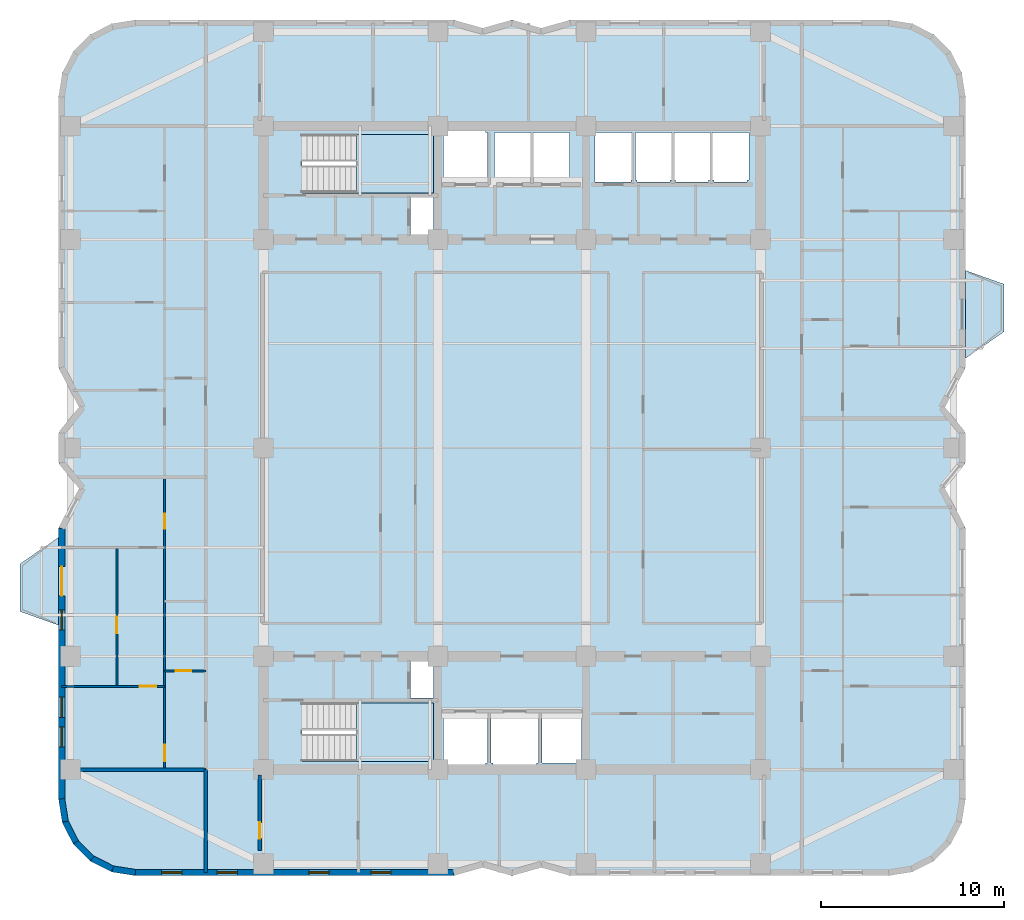
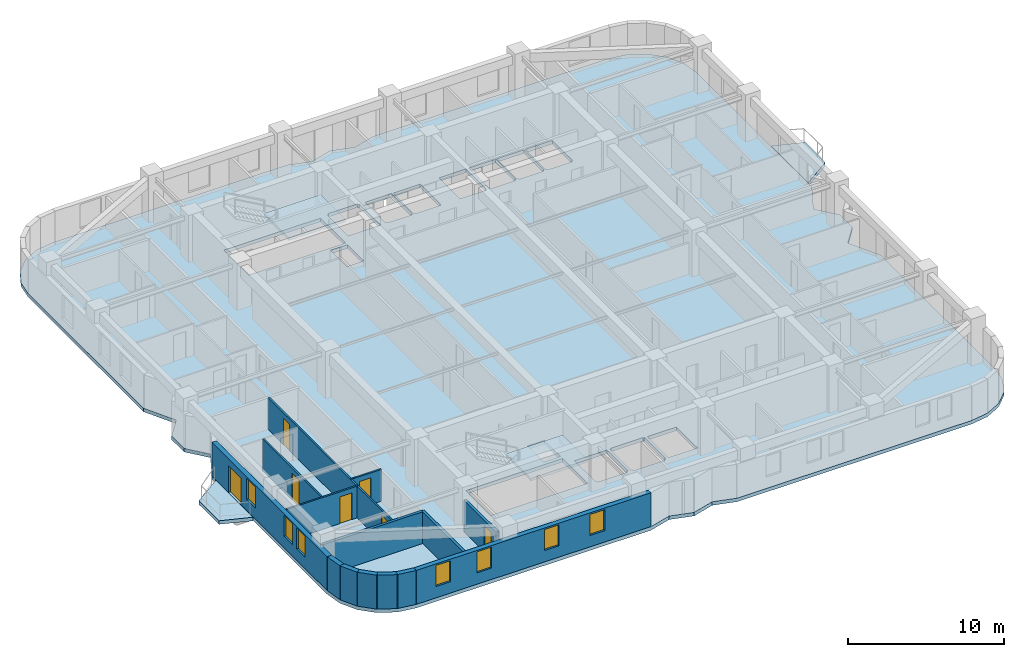
# One storey, part 2 of 10: 14 walls, 7 doors, 7 windows, 5 slabs, 14 openings, 2 elements without a shape of their own.
"""IFC4 building model written with IfcOpenShell, lengths in metres."""

from ifc_helpers import new_model, si_unit, direction, frame, frame_2d, origin, place, context, subcontext, project, spatial, polyline, rectangle, outline, extrude, material, layer, layer_set, type_object, element, fill, aggregate, save


model = new_model("IFC4")

# Units and contexts
model_context = context("Model", 3, precision=1e-05, world=origin(), true_north=direction((0.0, 1.0)))
body_context = subcontext(model_context, "Body", "Model", "MODEL_VIEW")
ifc_project = project(units=[si_unit("LENGTHUNIT", "METRE"), si_unit("AREAUNIT", "SQUARE_METRE"), si_unit("VOLUMEUNIT", "CUBIC_METRE"), si_unit("PLANEANGLEUNIT", "RADIAN"), si_unit("MASSUNIT", "GRAM", prefix="KILO")], contexts=[model_context])

# Site, building, storey
site_placement = place(None, origin())
site = spatial("IfcSite", under=ifc_project, at=site_placement, CompositionType="ELEMENT")
building_placement = place(site_placement, origin())
building = spatial("IfcBuilding", under=site, at=building_placement, Name="Svetorya Sky Lyceum", CompositionType="ELEMENT")
storey_placement = place(building_placement, frame((0.0, 0.0, 132.699951171875)))
storey = spatial("IfcBuildingStorey", under=building, at=storey_placement, Name="L33", CompositionType="ELEMENT", Elevation=132.699951171875)

# Slabs
ifc_material_1 = material(Name="Concrete C40/50", Category="concrete")
ifc_layer_1 = layer(ifc_material_1, 0.280029296875)
ifc_layer_set_1 = layer_set([ifc_layer_1], Name="Concrete C40/50")
slab_type_1 = type_object("IfcSlabType", Name="SL-BAL-280", PredefinedType="FLOOR", material=ifc_layer_set_1)
slab_1_placement = place(storey_placement, frame((0.0, 0.0, -0.280029296875)))
element("IfcSlab", 1, at=slab_1_placement, inside=storey, type_object=slab_type_1, Name="L33 Chamfered Loggia Balcony BAL-W1", PredefinedType="FLOOR", context=body_context, shape_type="SweptSolid", body=[
    extrude(outline(polyline([(14.389892578125, 18.5), (14.389892578125, 23.300048828125), (12.2900390625, 21.85009765625), (12.2900390625, 19.25), (14.389892578125, 18.5)])), origin(), (0.0, 0.0, 1.0), 0.280029296875),
])
slab_2_placement = place(storey_placement, frame((0.0, 0.0, -0.280029296875)))
element("IfcSlab", 2, at=slab_2_placement, inside=storey, type_object=slab_type_1, Name="L33 Chamfered Loggia Balcony BAL-E1", PredefinedType="FLOOR", context=body_context, shape_type="SweptSolid", body=[
    extrude(outline(polyline([(64.010009765625, 33.10009765625), (66.110107421875, 34.550048828125), (66.110107421875, 37.14990234375), (64.010009765625, 37.89990234375), (64.010009765625, 33.10009765625)])), origin(), (0.0, 0.0, 1.0), 0.280029296875),
])

# Stair, slab
stair_type_1 = type_object("IfcStairType", Name="STR-ST-S", PredefinedType="HALF_TURN_STAIR", material=ifc_material_1)
stair_1_placement = place(storey_placement, origin())
stair_1 = element("IfcStair", 3, at=stair_1_placement, inside=storey, type_object=stair_type_1, Name="L33 South Core Smoke-Free Exit Stair N2", PredefinedType="HALF_TURN_STAIR")
ifc_layer_2 = layer(ifc_material_1, 0.199951171875)
ifc_layer_set_2 = layer_set([ifc_layer_2], Name="Concrete C40/50")
slab_type_2 = type_object("IfcSlabType", Name="SL-STR-LAND-200", PredefinedType="LANDING", material=ifc_layer_set_2)
slab_3_placement = place(storey_placement, frame((0.0, 0.0, 1.650146484375)))
slab_3 = element("IfcSlab", 4, at=slab_3_placement, type_object=slab_type_2, Name="ST-S landing 1", PredefinedType="LANDING", context=body_context, shape_type="SweptSolid", body=[
    extrude(outline(polyline([(30.699951171875, 11.050048828125), (34.89990234375, 11.050048828125), (34.89990234375, 14.25), (30.699951171875, 14.25), (30.699951171875, 11.050048828125)])), origin(), (0.0, 0.0, 1.0), 0.199951171875),
])
aggregate(stair_1, [slab_3])

stair_type_2 = type_object("IfcStairType", Name="STR-ST-N", PredefinedType="HALF_TURN_STAIR", material=ifc_material_1)
stair_2_placement = place(storey_placement, origin())
stair_2 = element("IfcStair", 5, at=stair_2_placement, inside=storey, type_object=stair_type_2, Name="L33 North Core Smoke-Free Exit Stair N3", PredefinedType="HALF_TURN_STAIR")
slab_4_placement = place(storey_placement, frame((0.0, 0.0, 1.650146484375)))
slab_4 = element("IfcSlab", 6, at=slab_4_placement, type_object=slab_type_2, Name="ST-N landing 1", PredefinedType="LANDING", context=body_context, shape_type="SweptSolid", body=[
    extrude(outline(polyline([(30.699951171875, 42.14990234375), (34.89990234375, 42.14990234375), (34.89990234375, 45.35009765625), (30.699951171875, 45.35009765625), (30.699951171875, 42.14990234375)])), origin(), (0.0, 0.0, 1.0), 0.199951171875),
])
aggregate(stair_2, [slab_4])

# Slab
ifc_material_2 = material(Name="Concrete C50/60", Category="concrete")
ifc_layer_3 = layer(ifc_material_2, 0.280029296875)
ifc_layer_set_3 = layer_set([ifc_layer_3], Name="Concrete C50/60")
slab_type_3 = type_object("IfcSlabType", Name="SL-TWR-280", PredefinedType="FLOOR", material=ifc_layer_set_3)
slab_5_placement = place(storey_placement, frame((0.0, 0.0, -0.280029296875)))
element("IfcSlab", 7, at=slab_5_placement, inside=storey, type_object=slab_type_3, Name="L33 Structural Floor Slab", PredefinedType="FLOOR", context=body_context, shape_type="SweptSolid", body=[
    extrude(outline(polyline([(14.39990234375, 9.0), (14.605712890625, 7.7021484375), (15.2021484375, 6.53125), (16.13134765625, 5.60205078125), (17.302001953125, 5.005615234375), (18.60009765625, 4.800048828125), (36.0, 4.800048828125), (37.60009765625, 5.25), (39.199951171875, 4.800048828125), (40.800048828125, 5.25), (42.39990234375, 4.800048828125), (59.800048828125, 4.800048828125), (61.097900390625, 5.005615234375), (62.268798828125, 5.60205078125), (63.197998046875, 6.53125), (63.79443359375, 7.7021484375), (64.0, 9.0), (64.0, 23.800048828125), (62.85009765625, 26.0), (64.0, 27.39990234375), (64.0, 29.0), (62.85009765625, 30.39990234375), (64.0, 32.60009765625), (64.0, 47.39990234375), (63.79443359375, 48.697998046875), (63.197998046875, 49.86865234375), (62.268798828125, 50.7978515625), (61.097900390625, 51.394287109375), (59.800048828125, 51.60009765625), (42.39990234375, 51.60009765625), (40.800048828125, 51.14990234375), (39.199951171875, 51.60009765625), (37.60009765625, 51.14990234375), (36.0, 51.60009765625), (18.60009765625, 51.60009765625), (17.302001953125, 51.394287109375), (16.13134765625, 50.7978515625), (15.2021484375, 49.86865234375), (14.605712890625, 48.697998046875), (14.39990234375, 47.39990234375), (14.39990234375, 32.60009765625), (15.550048828125, 30.39990234375), (14.39990234375, 29.0), (14.39990234375, 27.39990234375), (15.550048828125, 26.0), (14.39990234375, 23.800048828125), (14.39990234375, 9.0)]), holes=[polyline([(37.85009765625, 10.949951171875), (37.75, 10.949951171875), (37.75, 10.85009765625), (35.550048828125, 10.85009765625), (35.550048828125, 10.949951171875), (35.449951171875, 10.949951171875), (35.449951171875, 13.64990234375), (35.550048828125, 13.64990234375), (37.75, 13.64990234375), (37.85009765625, 13.64990234375), (37.85009765625, 10.949951171875)]), polyline([(40.64990234375, 13.64990234375), (40.64990234375, 10.949951171875), (40.550048828125, 10.949951171875), (40.550048828125, 10.800048828125), (38.14990234375, 10.800048828125), (38.14990234375, 10.949951171875), (38.050048828125, 10.949951171875), (38.050048828125, 13.64990234375), (38.14990234375, 13.64990234375), (38.14990234375, 13.699951171875), (40.550048828125, 13.699951171875), (40.550048828125, 13.64990234375), (40.64990234375, 13.64990234375)]), polyline([(27.719970703125, 14.25), (34.89990234375, 14.25), (34.89990234375, 11.050048828125), (27.719970703125, 11.050048828125), (27.719970703125, 14.25)]), polyline([(33.64990234375, 14.52001953125), (33.64990234375, 16.580078125), (34.89990234375, 16.580078125), (34.89990234375, 14.52001953125), (33.64990234375, 14.52001953125)]), polyline([(33.64990234375, 41.89990234375), (34.89990234375, 41.89990234375), (34.89990234375, 39.820068359375), (33.64990234375, 39.820068359375), (33.64990234375, 41.89990234375)]), polyline([(27.719970703125, 45.35009765625), (34.89990234375, 45.35009765625), (34.89990234375, 42.14990234375), (27.719970703125, 42.14990234375), (27.719970703125, 45.35009765625)]), polyline([(37.75, 45.550048828125), (37.75, 45.449951171875), (37.85009765625, 45.449951171875), (37.85009765625, 42.75), (37.75, 42.75), (35.550048828125, 42.75), (35.449951171875, 42.75), (35.449951171875, 45.449951171875), (35.550048828125, 45.449951171875), (35.550048828125, 45.550048828125), (37.75, 45.550048828125)]), polyline([(38.39990234375, 42.85009765625), (38.25, 42.85009765625), (38.25, 45.449951171875), (38.39990234375, 45.449951171875), (40.199951171875, 45.449951171875), (40.25, 45.449951171875), (40.25, 42.85009765625), (40.199951171875, 42.85009765625), (40.199951171875, 42.75), (38.39990234375, 42.75), (38.39990234375, 42.85009765625)]), polyline([(40.85009765625, 13.64990234375), (43.0, 13.64990234375), (43.0, 10.949951171875), (40.85009765625, 10.949951171875), (40.85009765625, 13.64990234375)]), polyline([(40.39990234375, 42.85009765625), (40.35009765625, 42.85009765625), (40.35009765625, 45.449951171875), (40.39990234375, 45.449951171875), (42.300048828125, 45.449951171875), (42.35009765625, 45.449951171875), (42.35009765625, 42.85009765625), (42.300048828125, 42.85009765625), (42.300048828125, 42.75), (40.39990234375, 42.75), (40.39990234375, 42.85009765625)]), polyline([(43.75, 42.75), (43.75, 42.85009765625), (43.75, 45.449951171875), (45.699951171875, 45.449951171875), (45.75, 45.449951171875), (45.75, 42.85009765625), (45.699951171875, 42.85009765625), (45.699951171875, 42.75), (43.75, 42.75)]), polyline([(46.050048828125, 42.85009765625), (45.949951171875, 42.85009765625), (45.949951171875, 45.449951171875), (46.050048828125, 45.449951171875), (47.85009765625, 45.449951171875), (47.949951171875, 45.449951171875), (47.949951171875, 42.85009765625), (47.85009765625, 42.85009765625), (47.85009765625, 42.75), (46.050048828125, 42.75), (46.050048828125, 42.85009765625)]), polyline([(48.14990234375, 42.85009765625), (48.050048828125, 42.85009765625), (48.050048828125, 45.449951171875), (48.14990234375, 45.449951171875), (49.949951171875, 45.449951171875), (50.050048828125, 45.449951171875), (50.050048828125, 42.85009765625), (49.949951171875, 42.85009765625), (49.949951171875, 42.75), (48.14990234375, 42.75), (48.14990234375, 42.85009765625)]), polyline([(52.14990234375, 42.85009765625), (52.050048828125, 42.85009765625), (52.050048828125, 42.75), (50.25, 42.75), (50.25, 42.85009765625), (50.14990234375, 42.85009765625), (50.14990234375, 45.449951171875), (50.25, 45.449951171875), (52.050048828125, 45.449951171875), (52.14990234375, 45.449951171875), (52.14990234375, 42.85009765625)])]), origin(), (0.0, 0.0, 1.0), 0.280029296875),
])

# Walls
ifc_material_3 = material(Name="Putilovo limestone rainscreen on autoclaved cellular masonry", Category="masonry")
ifc_layer_4 = layer(ifc_material_3, 0.340087890625)
ifc_layer_set_4 = layer_set([ifc_layer_4], Name="Putilovo limestone rainscreen on autoclaved cellular masonry")
wall_type_1 = type_object("IfcWallType", Name="WL-EXT-340", PredefinedType="SOLIDWALL", material=ifc_layer_set_4)
wall_1_placement = place(storey_placement, frame((14.570068359375, 9.0, 0.0), z_axis=(0.0, 0.0, 1.0), x_axis=(0.156260864002, -0.98771582066, 0.0)))
element("IfcWall", 8, at=wall_1_placement, inside=storey, type_object=wall_type_1, Name="L33 Limestone Exterior Wall 1M", PredefinedType="SOLIDWALL", context=body_context, shape_type="SweptSolid", body=[
    extrude(rectangle(XDim=1.2607421875, YDim=0.340087890625, at=frame_2d((0.63037109375, 0.0))), origin(), (0.0, 0.0, 1.0), 2.66015625),
])
wall_2_placement = place(storey_placement, frame((14.76708984375, 7.754638671875, 0.0), z_axis=(0.0, 0.0, 1.0), x_axis=(0.454015689056, -0.890993689142, 0.0)))
element("IfcWall", 9, at=wall_2_placement, inside=storey, type_object=wall_type_1, Name="L33 Limestone Exterior Wall 2M", PredefinedType="SOLIDWALL", context=body_context, shape_type="SweptSolid", body=[
    extrude(rectangle(XDim=1.260986328125, YDim=0.340087890625, at=frame_2d((0.63037109375, 0.0))), origin(), (0.0, 0.0, 1.0), 2.66015625),
])
wall_3_placement = place(storey_placement, frame((15.339599609375, 6.631103515625, 0.0), z_axis=(0.0, 0.0, 1.0), x_axis=(0.707203598708, -0.707009950407, 0.0)))
element("IfcWall", 10, at=wall_3_placement, inside=storey, type_object=wall_type_1, Name="L33 Limestone Exterior Wall 3M", PredefinedType="SOLIDWALL", context=body_context, shape_type="SweptSolid", body=[
    extrude(rectangle(XDim=1.2607421875, YDim=0.340087890625, at=frame_2d((0.63037109375, 0.0))), origin(), (0.0, 0.0, 1.0), 2.66015625),
])
for number, where, z_axis, x_axis, name in (
    (11, (16.231201171875, 5.73974609375, 0.0), (0.0, 0.0, 1.0), (0.890993689142, -0.454015689056, 0.0), "L33 Limestone Exterior Wall 4M"),
    (12, (17.354736328125, 5.167236328125, 0.0), (0.0, 0.0, 1.0), (0.987685918112, -0.15644975923, 0.0), "L33 Limestone Exterior Wall 5M"),
):
    element("IfcWall", number, at=place(storey_placement, frame(where, z_axis=z_axis, x_axis=x_axis)), inside=storey, type_object=wall_type_1, Name=name, PredefinedType="SOLIDWALL", context=body_context, shape_type="SweptSolid", body=[
        extrude(rectangle(XDim=1.260986328125, YDim=0.340087890625, at=frame_2d((0.63037109375, 0.0))), origin(), (0.0, 0.0, 1.0), 2.66015625),
    ])

# Wall, openings, windows
wall_4_placement = place(storey_placement, frame((18.60009765625, 4.969970703125, 0.0), z_axis=(0.0, 0.0, 1.0), x_axis=(1.0, 0.0, 0.0)))
wall_4 = element("IfcWall", 13, at=wall_4_placement, inside=storey, type_object=wall_type_1, Name="L33 Limestone Exterior Wall 6M", PredefinedType="SOLIDWALL", context=body_context, shape_type="SweptSolid", body=[
    extrude(rectangle(XDim=17.39990234375, YDim=0.340087890625, at=frame_2d((8.699951171875, 0.0))), origin(), (0.0, 0.0, 1.0), 2.66015625),
])
opening_1_placement = place(wall_4_placement, frame((1.441650390625, 0.0, 0.889892578125)))
opening_1 = element("IfcOpeningElement", 14, at=opening_1_placement, cuts=wall_4, Name="Opening W-R3", PredefinedType="OPENING", context=body_context, shape_type="SweptSolid", body=[
    extrude(rectangle(XDim=1.10009765625, YDim=1.64990234375, at=frame_2d((0.550048828125, 0.824951171875))), frame((0.0, 0.179931640625, 0.0), z_axis=(0.0, -1.0, 0.0), x_axis=(1.0, 0.0, 0.0)), (0.0, 0.0, 1.0), 0.360107421875),
])
opening_2_placement = place(wall_4_placement, frame((4.47509765625, 0.0, 0.889892578125)))
opening_2 = element("IfcOpeningElement", 15, at=opening_2_placement, cuts=wall_4, Name="Opening W-R3", PredefinedType="OPENING", context=body_context, shape_type="SweptSolid", body=[
    extrude(rectangle(XDim=1.10009765625, YDim=1.64990234375, at=frame_2d((0.550048828125, 0.824951171875))), frame((0.0, 0.179931640625, 0.0), z_axis=(0.0, -1.0, 0.0), x_axis=(1.0, 0.0, 0.0)), (0.0, 0.0, 1.0), 0.360107421875),
])
opening_3_placement = place(wall_4_placement, frame((9.49169921875, 0.0, 0.889892578125)))
opening_3 = element("IfcOpeningElement", 16, at=opening_3_placement, cuts=wall_4, Name="Opening W-R3", PredefinedType="OPENING", context=body_context, shape_type="SweptSolid", body=[
    extrude(rectangle(XDim=1.10009765625, YDim=1.64990234375, at=frame_2d((0.550048828125, 0.824951171875))), frame((0.0, 0.179931640625, 0.0), z_axis=(0.0, -1.0, 0.0), x_axis=(1.0, 0.0, 0.0)), (0.0, 0.0, 1.0), 0.360107421875),
])
opening_4_placement = place(wall_4_placement, frame((12.875, 0.0, 0.889892578125)))
opening_4 = element("IfcOpeningElement", 17, at=opening_4_placement, cuts=wall_4, Name="Opening W-R3", PredefinedType="OPENING", context=body_context, shape_type="SweptSolid", body=[
    extrude(rectangle(XDim=1.10009765625, YDim=1.64990234375, at=frame_2d((0.550048828125, 0.824951171875))), frame((0.0, 0.179931640625, 0.0), z_axis=(0.0, -1.0, 0.0), x_axis=(1.0, 0.0, 0.0)), (0.0, 0.0, 1.0), 0.360107421875),
])
ifc_material_4 = material(Name="Thermally broken aluminium frame with triple low-E glazing", Category="aluminium")
window_type = type_object("IfcWindowType", Name="WN-RES-110", PartitioningType="SINGLE_PANEL", PredefinedType="WINDOW", material=ifc_material_4)
window_1_placement = place(opening_1_placement, origin())
window_1 = element("IfcWindow", 18, at=window_1_placement, inside=storey, type_object=window_type, Name="L33 Facade Window W-R3.6M.1", OverallHeight=1.64990234375, OverallWidth=1.10009765625, PartitioningType="SINGLE_PANEL", PredefinedType="WINDOW", context=body_context, shape_type="SweptSolid", body=[
    extrude(rectangle(XDim=1.10009765625, YDim=1.64990234375, at=frame_2d((0.550048828125, 0.824951171875))), frame((0.0, 0.030029296875, 0.0), z_axis=(0.0, -1.0, 0.0), x_axis=(1.0, 0.0, 0.0)), (0.0, 0.0, 1.0), 0.06005859375),
])
fill(opening_1, window_1)
window_2_placement = place(opening_2_placement, origin())
window_2 = element("IfcWindow", 19, at=window_2_placement, inside=storey, type_object=window_type, Name="L33 Facade Window W-R3.6M.2", OverallHeight=1.64990234375, OverallWidth=1.10009765625, PartitioningType="SINGLE_PANEL", PredefinedType="WINDOW", context=body_context, shape_type="SweptSolid", body=[
    extrude(rectangle(XDim=1.10009765625, YDim=1.64990234375, at=frame_2d((0.550048828125, 0.824951171875))), frame((0.0, 0.030029296875, 0.0), z_axis=(0.0, -1.0, 0.0), x_axis=(1.0, 0.0, 0.0)), (0.0, 0.0, 1.0), 0.06005859375),
])
fill(opening_2, window_2)
window_3_placement = place(opening_3_placement, origin())
window_3 = element("IfcWindow", 20, at=window_3_placement, inside=storey, type_object=window_type, Name="L33 Facade Window W-R3.6M.3", OverallHeight=1.64990234375, OverallWidth=1.10009765625, PartitioningType="SINGLE_PANEL", PredefinedType="WINDOW", context=body_context, shape_type="SweptSolid", body=[
    extrude(rectangle(XDim=1.10009765625, YDim=1.64990234375, at=frame_2d((0.550048828125, 0.824951171875))), frame((0.0, 0.030029296875, 0.0), z_axis=(0.0, -1.0, 0.0), x_axis=(1.0, 0.0, 0.0)), (0.0, 0.0, 1.0), 0.06005859375),
])
fill(opening_3, window_3)
window_4_placement = place(opening_4_placement, origin())
window_4 = element("IfcWindow", 21, at=window_4_placement, inside=storey, type_object=window_type, Name="L33 Facade Window W-R3.6M.4", OverallHeight=1.64990234375, OverallWidth=1.10009765625, PartitioningType="SINGLE_PANEL", PredefinedType="WINDOW", context=body_context, shape_type="SweptSolid", body=[
    extrude(rectangle(XDim=1.10009765625, YDim=1.64990234375, at=frame_2d((0.550048828125, 0.824951171875))), frame((0.0, 0.030029296875, 0.0), z_axis=(0.0, -1.0, 0.0), x_axis=(1.0, 0.0, 0.0)), (0.0, 0.0, 1.0), 0.06005859375),
])
fill(opening_4, window_4)

# Wall, openings, door, windows
wall_5_placement = place(storey_placement, frame((14.570068359375, 23.800048828125, 0.0), z_axis=(0.0, 0.0, 1.0), x_axis=(0.0, -1.0, 0.0)))
wall_5 = element("IfcWall", 22, at=wall_5_placement, inside=storey, type_object=wall_type_1, Name="L33 Limestone Exterior Wall 46M", PredefinedType="SOLIDWALL", context=body_context, shape_type="SweptSolid", body=[
    extrude(rectangle(XDim=14.800048828125, YDim=0.340087890625, at=frame_2d((7.39990234375, 0.0))), origin(), (0.0, 0.0, 1.0), 2.66015625),
])
opening_5_placement = place(wall_5_placement, frame((2.10009765625, 0.0, 0.0)))
opening_5 = element("IfcOpeningElement", 23, at=opening_5_placement, cuts=wall_5, Name="Opening D-BL1", PredefinedType="OPENING", context=body_context, shape_type="SweptSolid", body=[
    extrude(rectangle(XDim=1.60009765625, YDim=2.10009765625, at=frame_2d((0.800048828125, 1.050048828125))), frame((0.0, 0.179931640625, 0.0), z_axis=(0.0, -1.0, 0.0), x_axis=(1.0, 0.0, 0.0)), (0.0, 0.0, 1.0), 0.360107421875),
])
opening_6_placement = place(wall_5_placement, frame((4.46240234375, 0.0, 0.889892578125)))
opening_6 = element("IfcOpeningElement", 24, at=opening_6_placement, cuts=wall_5, Name="Opening W-R3", PredefinedType="OPENING", context=body_context, shape_type="SweptSolid", body=[
    extrude(rectangle(XDim=1.10009765625, YDim=1.64990234375, at=frame_2d((0.550048828125, 0.824951171875))), frame((0.0, 0.179931640625, 0.0), z_axis=(0.0, -1.0, 0.0), x_axis=(1.0, 0.0, 0.0)), (0.0, 0.0, 1.0), 0.360107421875),
])
opening_7_placement = place(wall_5_placement, frame((9.237548828125, 0.0, 0.889892578125)))
opening_7 = element("IfcOpeningElement", 25, at=opening_7_placement, cuts=wall_5, Name="Opening W-R3", PredefinedType="OPENING", context=body_context, shape_type="SweptSolid", body=[
    extrude(rectangle(XDim=1.10009765625, YDim=1.64990234375, at=frame_2d((0.550048828125, 0.824951171875))), frame((0.0, 0.179931640625, 0.0), z_axis=(0.0, -1.0, 0.0), x_axis=(1.0, 0.0, 0.0)), (0.0, 0.0, 1.0), 0.360107421875),
])
opening_8_placement = place(wall_5_placement, frame((10.862548828125, 0.0, 0.889892578125)))
opening_8 = element("IfcOpeningElement", 26, at=opening_8_placement, cuts=wall_5, Name="Opening W-R3", PredefinedType="OPENING", context=body_context, shape_type="SweptSolid", body=[
    extrude(rectangle(XDim=1.10009765625, YDim=1.64990234375, at=frame_2d((0.550048828125, 0.824951171875))), frame((0.0, 0.179931640625, 0.0), z_axis=(0.0, -1.0, 0.0), x_axis=(1.0, 0.0, 0.0)), (0.0, 0.0, 1.0), 0.360107421875),
])
ifc_material_5 = material(Name="Insulated glazed aluminium balcony door", Category="aluminium")
door_type_1 = type_object("IfcDoorType", Name="DR-BAL-1600", OperationType="DOUBLE_DOOR_SINGLE_SWING", PredefinedType="DOOR", material=ifc_material_5)
door_1_placement = place(opening_5_placement, origin())
door_1 = element("IfcDoor", 27, at=door_1_placement, inside=storey, type_object=door_type_1, Name="L33 Balcony BAL-W1 Door", OperationType="DOUBLE_DOOR_SINGLE_SWING", OverallHeight=2.10009765625, OverallWidth=1.60009765625, PredefinedType="DOOR", context=body_context, shape_type="SweptSolid", body=[
    extrude(rectangle(XDim=1.60009765625, YDim=2.10009765625, at=frame_2d((0.800048828125, 1.050048828125))), frame((0.0, 0.02490234375, 0.0), z_axis=(0.0, -1.0, 0.0), x_axis=(1.0, 0.0, 0.0)), (0.0, 0.0, 1.0), 0.050048828125),
])
fill(opening_5, door_1)
window_5_placement = place(opening_6_placement, origin())
window_5 = element("IfcWindow", 28, at=window_5_placement, inside=storey, type_object=window_type, Name="L33 Facade Window W-R3.46M.1", OverallHeight=1.64990234375, OverallWidth=1.10009765625, PartitioningType="SINGLE_PANEL", PredefinedType="WINDOW", context=body_context, shape_type="SweptSolid", body=[
    extrude(rectangle(XDim=1.10009765625, YDim=1.64990234375, at=frame_2d((0.550048828125, 0.824951171875))), frame((0.0, 0.030029296875, 0.0), z_axis=(0.0, -1.0, 0.0), x_axis=(1.0, 0.0, 0.0)), (0.0, 0.0, 1.0), 0.06005859375),
])
fill(opening_6, window_5)
window_6_placement = place(opening_7_placement, origin())
window_6 = element("IfcWindow", 29, at=window_6_placement, inside=storey, type_object=window_type, Name="L33 Facade Window W-R3.46M.2", OverallHeight=1.64990234375, OverallWidth=1.10009765625, PartitioningType="SINGLE_PANEL", PredefinedType="WINDOW", context=body_context, shape_type="SweptSolid", body=[
    extrude(rectangle(XDim=1.10009765625, YDim=1.64990234375, at=frame_2d((0.550048828125, 0.824951171875))), frame((0.0, 0.030029296875, 0.0), z_axis=(0.0, -1.0, 0.0), x_axis=(1.0, 0.0, 0.0)), (0.0, 0.0, 1.0), 0.06005859375),
])
fill(opening_7, window_6)
window_7_placement = place(opening_8_placement, origin())
window_7 = element("IfcWindow", 30, at=window_7_placement, inside=storey, type_object=window_type, Name="L33 Facade Window W-R3.46M.3", OverallHeight=1.64990234375, OverallWidth=1.10009765625, PartitioningType="SINGLE_PANEL", PredefinedType="WINDOW", context=body_context, shape_type="SweptSolid", body=[
    extrude(rectangle(XDim=1.10009765625, YDim=1.64990234375, at=frame_2d((0.550048828125, 0.824951171875))), frame((0.0, 0.030029296875, 0.0), z_axis=(0.0, -1.0, 0.0), x_axis=(1.0, 0.0, 0.0)), (0.0, 0.0, 1.0), 0.06005859375),
])
fill(opening_8, window_7)

# Wall, opening, door
ifc_material_6 = material(Name="Twin-stud galvanized framing with double fireboard", Category="gypsum")
ifc_layer_5 = layer(ifc_material_6, 0.1201171875)
ifc_layer_set_5 = layer_set([ifc_layer_5], Name="Twin-stud galvanized framing with double fireboard")
wall_type_2 = type_object("IfcWallType", Name="WL-PART-120", PredefinedType="PARTITIONING", material=ifc_layer_set_5)
wall_6_placement = place(storey_placement, frame((20.199951171875, 16.0, 0.0), z_axis=(0.0, 0.0, 1.0), x_axis=(1.0, 0.0, 0.0)))
wall_6 = element("IfcWall", 31, at=wall_6_placement, inside=storey, type_object=wall_type_2, Name="L33 Interior Partition W1-WH1", PredefinedType="PARTITIONING", context=body_context, shape_type="SweptSolid", body=[
    extrude(rectangle(XDim=2.25, YDim=0.1201171875, at=frame_2d((1.125, 0.0))), origin(), (0.0, 0.0, 1.0), 2.489990234375),
])
opening_9_placement = place(wall_6_placement, frame((0.60009765625, 0.0, 0.0)))
opening_9 = element("IfcOpeningElement", 32, at=opening_9_placement, cuts=wall_6, Name="Opening D-BT1", PredefinedType="OPENING", context=body_context, shape_type="SweptSolid", body=[
    extrude(rectangle(XDim=0.85009765625, YDim=2.10009765625, at=frame_2d((0.425048828125, 1.050048828125))), frame((0.0, 0.070068359375, 0.0), z_axis=(0.0, -1.0, 0.0), x_axis=(1.0, 0.0, 0.0)), (0.0, 0.0, 1.0), 0.14013671875),
])
ifc_material_7 = material(Name="Moisture-resistant laminate bathroom door")
door_type_2 = type_object("IfcDoorType", Name="DR-WET-850", OperationType="SINGLE_SWING_LEFT", PredefinedType="DOOR", material=ifc_material_7)
door_2_placement = place(opening_9_placement, origin())
door_2 = element("IfcDoor", 33, at=door_2_placement, inside=storey, type_object=door_type_2, Name="Apartment W1 Bathroom Door", OperationType="SINGLE_SWING_LEFT", OverallHeight=2.10009765625, OverallWidth=0.85009765625, PredefinedType="DOOR", context=body_context, shape_type="SweptSolid", body=[
    extrude(rectangle(XDim=0.85009765625, YDim=2.10009765625, at=frame_2d((0.425048828125, 1.050048828125))), frame((0.0, 0.02490234375, 0.0), z_axis=(0.0, -1.0, 0.0), x_axis=(1.0, 0.0, 0.0)), (0.0, 0.0, 1.0), 0.050048828125),
])
fill(opening_9, door_2)

wall_7_placement = place(storey_placement, frame((17.589111328125, 15.18994140625, 0.0), z_axis=(0.0, 0.0, 1.0), x_axis=(0.0, 1.0, 0.0)))
wall_7 = element("IfcWall", 34, at=wall_7_placement, inside=storey, type_object=wall_type_2, Name="L33 Interior Partition W1-BVD1", PredefinedType="PARTITIONING", context=body_context, shape_type="SweptSolid", body=[
    extrude(rectangle(XDim=7.52001953125, YDim=0.1201171875, at=frame_2d((3.760009765625, 0.0))), origin(), (0.0, 0.0, 1.0), 2.489990234375),
])
opening_10_placement = place(wall_7_placement, frame((2.860107421875, 0.0, 0.0)))
opening_10 = element("IfcOpeningElement", 35, at=opening_10_placement, cuts=wall_7, Name="Opening D-RM1", PredefinedType="OPENING", context=body_context, shape_type="SweptSolid", body=[
    extrude(rectangle(XDim=0.89990234375, YDim=2.10009765625, at=frame_2d((0.449951171875, 1.050048828125))), frame((0.0, 0.070068359375, 0.0), z_axis=(0.0, -1.0, 0.0), x_axis=(1.0, 0.0, 0.0)), (0.0, 0.0, 1.0), 0.14013671875),
])
ifc_material_8 = material(Name="Lacquered birch veneer internal door")
door_type_3 = type_object("IfcDoorType", Name="DR-INT-900", OperationType="SINGLE_SWING_LEFT", PredefinedType="DOOR", material=ifc_material_8)
door_3_placement = place(opening_10_placement, origin())
door_3 = element("IfcDoor", 36, at=door_3_placement, inside=storey, type_object=door_type_3, Name="Apartment W1 Suite Bedroom Door", OperationType="SINGLE_SWING_LEFT", OverallHeight=2.10009765625, OverallWidth=0.89990234375, PredefinedType="DOOR", context=body_context, shape_type="SweptSolid", body=[
    extrude(rectangle(XDim=0.89990234375, YDim=2.10009765625, at=frame_2d((0.449951171875, 1.050048828125))), frame((0.0, 0.02490234375, 0.0), z_axis=(0.0, -1.0, 0.0), x_axis=(1.0, 0.0, 0.0)), (0.0, 0.0, 1.0), 0.050048828125),
])
fill(opening_10, door_3)

wall_8_placement = place(storey_placement, frame((14.570068359375, 15.14990234375, 0.0), z_axis=(0.0, 0.0, 1.0), x_axis=(1.0, 0.0, 0.0)))
wall_8 = element("IfcWall", 37, at=wall_8_placement, inside=storey, type_object=wall_type_2, Name="L33 Interior Partition W1-WL1", PredefinedType="PARTITIONING", context=body_context, shape_type="SweptSolid", body=[
    extrude(rectangle(XDim=5.6298828125, YDim=0.1201171875, at=frame_2d((2.81494140625, 0.0))), origin(), (0.0, 0.0, 1.0), 2.489990234375),
])
opening_11_placement = place(wall_8_placement, frame((4.280029296875, 0.0, 0.0)))
opening_11 = element("IfcOpeningElement", 38, at=opening_11_placement, cuts=wall_8, Name="Opening D-RM1", PredefinedType="OPENING", context=body_context, shape_type="SweptSolid", body=[
    extrude(rectangle(XDim=0.89990234375, YDim=2.10009765625, at=frame_2d((0.449951171875, 1.050048828125))), frame((0.0, 0.070068359375, 0.0), z_axis=(0.0, -1.0, 0.0), x_axis=(1.0, 0.0, 0.0)), (0.0, 0.0, 1.0), 0.14013671875),
])
door_4_placement = place(opening_11_placement, origin())
door_4 = element("IfcDoor", 39, at=door_4_placement, inside=storey, type_object=door_type_3, Name="Apartment W1 Master Bedroom Door", OperationType="SINGLE_SWING_LEFT", OverallHeight=2.10009765625, OverallWidth=0.89990234375, PredefinedType="DOOR", context=body_context, shape_type="SweptSolid", body=[
    extrude(rectangle(XDim=0.89990234375, YDim=2.10009765625, at=frame_2d((0.449951171875, 1.050048828125))), frame((0.0, 0.02490234375, 0.0), z_axis=(0.0, -1.0, 0.0), x_axis=(1.0, 0.0, 0.0)), (0.0, 0.0, 1.0), 0.050048828125),
])
fill(opening_11, door_4)

# Wall, openings, doors
wall_9_placement = place(storey_placement, frame((20.199951171875, 10.639892578125, 0.0), z_axis=(0.0, 0.0, 1.0), x_axis=(0.0, 1.0, 0.0)))
wall_9 = element("IfcWall", 40, at=wall_9_placement, inside=storey, type_object=wall_type_2, Name="L33 Interior Partition W1-WV", PredefinedType="PARTITIONING", context=body_context, shape_type="SweptSolid", body=[
    extrude(rectangle(XDim=15.920166015625, YDim=0.1201171875, at=frame_2d((7.9599609375, 0.0))), origin(), (0.0, 0.0, 1.0), 2.489990234375),
])
opening_12_placement = place(wall_9_placement, frame((0.409912109375, 0.0, 0.0)))
opening_12 = element("IfcOpeningElement", 41, at=opening_12_placement, cuts=wall_9, Name="Opening D-RM1", PredefinedType="OPENING", context=body_context, shape_type="SweptSolid", body=[
    extrude(rectangle(XDim=0.89990234375, YDim=2.10009765625, at=frame_2d((0.449951171875, 1.050048828125))), frame((0.0, 0.070068359375, 0.0), z_axis=(0.0, -1.0, 0.0), x_axis=(1.0, 0.0, 0.0)), (0.0, 0.0, 1.0), 0.14013671875),
])
opening_13_placement = place(wall_9_placement, frame((13.125, 0.0, 0.0)))
opening_13 = element("IfcOpeningElement", 42, at=opening_13_placement, cuts=wall_9, Name="Opening D-BT2", PredefinedType="OPENING", context=body_context, shape_type="SweptSolid", body=[
    extrude(rectangle(XDim=0.820068359375, YDim=2.080078125, at=frame_2d((0.41015625, 1.0400390625))), frame((0.0, 0.070068359375, 0.0), z_axis=(0.0, -1.0, 0.0), x_axis=(1.0, 0.0, 0.0)), (0.0, 0.0, 1.0), 0.14013671875),
])
door_5_placement = place(opening_12_placement, origin())
door_5 = element("IfcDoor", 43, at=door_5_placement, inside=storey, type_object=door_type_3, Name="Apartment W1 Living Door", OperationType="SINGLE_SWING_RIGHT", OverallHeight=2.10009765625, OverallWidth=0.89990234375, PredefinedType="DOOR", context=body_context, shape_type="SweptSolid", body=[
    extrude(rectangle(XDim=0.89990234375, YDim=2.10009765625, at=frame_2d((0.449951171875, 1.050048828125))), frame((0.0, 0.02490234375, 0.0), z_axis=(0.0, -1.0, 0.0), x_axis=(1.0, 0.0, 0.0)), (0.0, 0.0, 1.0), 0.050048828125),
])
fill(opening_12, door_5)
ifc_material_9 = material(Name="Compact moisture-resistant laminate closet door")
door_type_4 = type_object("IfcDoorType", Name="DR-WET-820", OperationType="SINGLE_SWING_LEFT", PredefinedType="DOOR", material=ifc_material_9)
door_6_placement = place(opening_13_placement, origin())
door_6 = element("IfcDoor", 44, at=door_6_placement, inside=storey, type_object=door_type_4, Name="Apartment W1 Study Door", OperationType="SINGLE_SWING_LEFT", OverallHeight=2.080078125, OverallWidth=0.820068359375, PredefinedType="DOOR", context=body_context, shape_type="SweptSolid", body=[
    extrude(rectangle(XDim=0.820068359375, YDim=2.080078125, at=frame_2d((0.41015625, 1.0400390625))), frame((0.0, 0.02490234375, 0.0), z_axis=(0.0, -1.0, 0.0), x_axis=(1.0, 0.0, 0.0)), (0.0, 0.0, 1.0), 0.050048828125),
])
fill(opening_13, door_6)

# Walls
ifc_material_10 = material(Name="Autoclaved cellular masonry blockwork with gypsum plaster", Category="masonry")
ifc_layer_6 = layer(ifc_material_10, 0.199951171875)
ifc_layer_set_6 = layer_set([ifc_layer_6], Name="Autoclaved cellular masonry blockwork with gypsum plaster")
wall_type_3 = type_object("IfcWallType", Name="WL-PART-200", PredefinedType="PARTITIONING", material=ifc_layer_set_6)
wall_10_placement = place(storey_placement, frame((14.989990234375, 10.60009765625, 0.0), z_axis=(0.0, 0.0, 1.0), x_axis=(1.0, 0.0, 0.0)))
element("IfcWall", 45, at=wall_10_placement, inside=storey, type_object=wall_type_3, Name="L33 Interior Partition W-CAP-S", PredefinedType="PARTITIONING", context=body_context, shape_type="SweptSolid", body=[
    extrude(rectangle(XDim=7.4599609375, YDim=0.199951171875, at=frame_2d((3.72998046875, 0.0))), origin(), (0.0, 0.0, 1.0), 2.489990234375),
])
wall_11_placement = place(storey_placement, frame((22.449951171875, 4.969970703125, 0.0), z_axis=(0.0, 0.0, 1.0), x_axis=(0.0, 1.0, 0.0)))
element("IfcWall", 46, at=wall_11_placement, inside=storey, type_object=wall_type_3, Name="L33 Interior Partition WC-SW-END", PredefinedType="PARTITIONING", context=body_context, shape_type="SweptSolid", body=[
    extrude(rectangle(XDim=5.630126953125, YDim=0.199951171875, at=frame_2d((2.81494140625, 0.0))), origin(), (0.0, 0.0, 1.0), 2.489990234375),
])

# Wall, opening, door
wall_12_placement = place(storey_placement, frame((25.39990234375, 6.169921875, 0.0), z_axis=(0.0, 0.0, 1.0), x_axis=(0.0, 1.0, 0.0)))
wall_12 = element("IfcWall", 47, at=wall_12_placement, inside=storey, type_object=wall_type_3, Name="L33 Interior Partition S4-EW", PredefinedType="PARTITIONING", context=body_context, shape_type="SweptSolid", body=[
    extrude(rectangle(XDim=4.130126953125, YDim=0.199951171875, at=frame_2d((2.06494140625, 0.0))), origin(), (0.0, 0.0, 1.0), 2.489990234375),
])
opening_14_placement = place(wall_12_placement, frame((0.64990234375, 0.0, 0.0)))
opening_14 = element("IfcOpeningElement", 48, at=opening_14_placement, cuts=wall_12, Name="Opening D-RM1", PredefinedType="OPENING", context=body_context, shape_type="SweptSolid", body=[
    extrude(rectangle(XDim=0.89990234375, YDim=2.10009765625, at=frame_2d((0.449951171875, 1.050048828125))), frame((0.0, 0.10986328125, 0.0), z_axis=(0.0, -1.0, 0.0), x_axis=(1.0, 0.0, 0.0)), (0.0, 0.0, 1.0), 0.219970703125),
])
door_7_placement = place(opening_14_placement, origin())
door_7 = element("IfcDoor", 49, at=door_7_placement, inside=storey, type_object=door_type_3, Name="L33 SW Office Door", OperationType="SINGLE_SWING_LEFT", OverallHeight=2.10009765625, OverallWidth=0.89990234375, PredefinedType="DOOR", context=body_context, shape_type="SweptSolid", body=[
    extrude(rectangle(XDim=0.89990234375, YDim=2.10009765625, at=frame_2d((0.449951171875, 1.050048828125))), frame((0.0, 0.02490234375, 0.0), z_axis=(0.0, -1.0, 0.0), x_axis=(1.0, 0.0, 0.0)), (0.0, 0.0, 1.0), 0.050048828125),
])
fill(opening_14, door_7)

save(model, "model.ifc")
